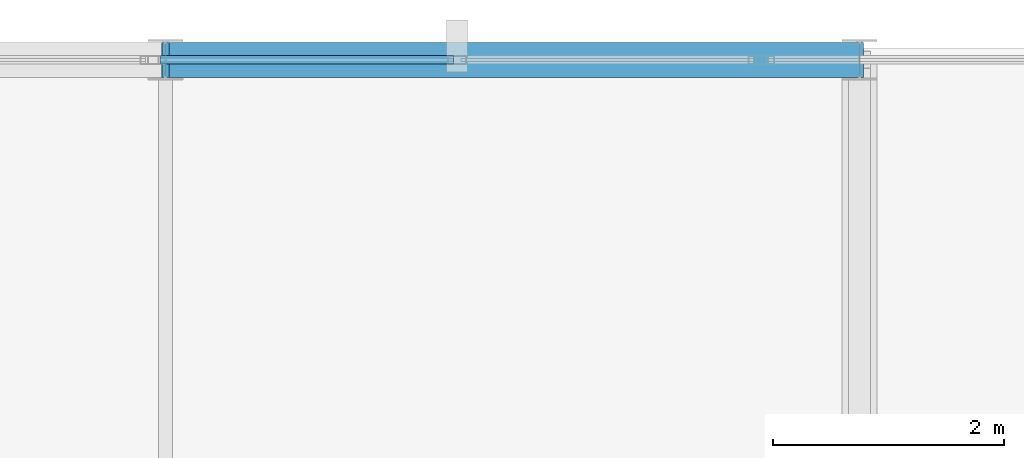
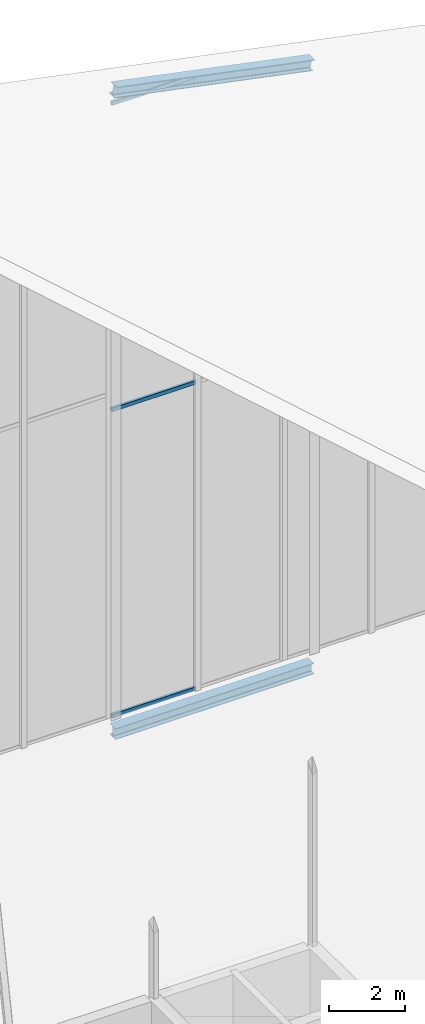
# One storey, part 54 of 74: 3 members, 2 beams, 1 element without a shape of its own.
"""IFC4 building model written with IfcOpenShell, lengths in metres."""

from ifc_helpers import new_model, si_unit, direction, frame, origin, origin_2d, place, context, subcontext, project, spatial, hollow_rectangle, i_section, extrude, material, layer, layer_set, material_profile, profile_set, type_object, element, aggregate, save


model = new_model("IFC4")

# Units and contexts
model_context = context("Model", 3, precision=1e-05, world=origin(), true_north=direction((0.0, 1.0)))
body_context = subcontext(model_context, "Body", "Model", "MODEL_VIEW")
ifc_project = project(units=[si_unit("LENGTHUNIT", "METRE"), si_unit("AREAUNIT", "SQUARE_METRE"), si_unit("VOLUMEUNIT", "CUBIC_METRE"), si_unit("PLANEANGLEUNIT", "RADIAN"), si_unit("MASSUNIT", "GRAM", prefix="KILO")], contexts=[model_context])

# Site, building, storey
site_placement = place(None, origin())
site = spatial("IfcSite", under=ifc_project, at=site_placement, CompositionType="ELEMENT")
building_placement = place(site_placement, origin())
building = spatial("IfcBuilding", under=site, at=building_placement, Name="Keshet Zoharim Tower", CompositionType="ELEMENT")
storey_placement = place(building_placement, frame((0.0, 0.0, 320.0)))
storey = spatial("IfcBuildingStorey", under=building, at=storey_placement, Name="RF", CompositionType="ELEMENT", Elevation=320.0)

# Beams
ifc_material_1 = material(Name="Steel S355", Category="steel")
ifc_material_profile_1 = material_profile(ifc_material_1, i_section(OverallWidth=0.300048828125, OverallDepth=0.35009765625, WebThickness=0.010009765625, FlangeThickness=0.017578125, FilletRadius=0.027099609375, at=origin_2d()), Name="HEA360")
ifc_profile_set_1 = profile_set([ifc_material_profile_1], Name="Steel S355")
beam_type_1 = type_object("IfcBeamType", Name="BM-PRI-HA360", PredefinedType="BEAM", material=ifc_profile_set_1)
beam_1_placement = place(storey_placement, frame((27.0, 53.89990234375, -0.485107421875), z_axis=(1.0, 0.0, 0.0), x_axis=(0.0, 1.0, 0.0)))
element("IfcBeam", 1, at=beam_1_placement, inside=storey, type_object=beam_type_1, Name="RF Primary Girder X-012", PredefinedType="BEAM", context=body_context, shape_type="SweptSolid", body=[
    extrude(i_section(OverallWidth=0.300048828125, OverallDepth=0.35009765625, WebThickness=0.010009765625, FlangeThickness=0.017578125, FilletRadius=0.027099609375, at=origin_2d()), origin(), (0.0, 0.0, 1.0), 6.0),
])
ifc_material_profile_2 = material_profile(ifc_material_1, i_section(OverallWidth=0.300048828125, OverallDepth=0.340087890625, WebThickness=0.011962890625, FlangeThickness=0.021484375, FilletRadius=0.027099609375, at=origin_2d()), Name="HEB340")
ifc_profile_set_2 = profile_set([ifc_material_profile_2], Name="Steel S355")
beam_type_2 = type_object("IfcBeamType", Name="BM-SPN-HB340", PredefinedType="SPANDREL", material=ifc_profile_set_2)
beam_2_placement = place(storey_placement, frame((27.0, 53.89990234375, 20.0224609375), z_axis=(0.979823661837, 0.0, -0.199863932975), x_axis=(0.0, 1.0, 0.0)))
element("IfcBeam", 2, at=beam_2_placement, inside=storey, type_object=beam_type_2, Name="Crown Sloped Perimeter Ring Beam 02", PredefinedType="SPANDREL", context=body_context, shape_type="SweptSolid", body=[
    extrude(i_section(OverallWidth=0.300048828125, OverallDepth=0.340087890625, WebThickness=0.011962890625, FlangeThickness=0.021484375, FilletRadius=0.027099609375, at=origin_2d()), origin(), (0.0, 0.0, 1.0), 6.12353515625),
])

# Curtain wall, members
ifc_material_2 = material(Name="Aluminium 6063-T6", Category="aluminium")
ifc_layer = layer(ifc_material_2, 0.260009765625)
ifc_layer_set = layer_set([ifc_layer], Name="Aluminium 6063-T6")
curtain_wall_type = type_object("IfcCurtainWallType", Name="CW-SYS-06", PredefinedType="NOTDEFINED", material=ifc_layer_set)
curtain_wall_placement = place(storey_placement, origin())
curtain_wall = element("IfcCurtainWall", 3, at=curtain_wall_placement, inside=storey, type_object=curtain_wall_type, Name="Slanted Crown Curtain Wall 13", PredefinedType="NOTDEFINED")
ifc_material_profile_3 = material_profile(ifc_material_2, hollow_rectangle(XDim=0.074951171875, YDim=0.1201171875, WallThickness=0.00390625, at=origin_2d()), Name="TRN-75x120")
ifc_profile_set_3 = profile_set([ifc_material_profile_3], Name="Aluminium 6063-T6")
member_type = type_object("IfcMemberType", Name="CWT-T12", PredefinedType="USERDEFINED", material=ifc_profile_set_3)
member_1_placement = place(storey_placement, frame((26.95703125, 53.89990234375, 0.032470703125), z_axis=(1.0, 0.0, 0.0), x_axis=(0.0, 1.0, 0.0)))
member_1 = element("IfcMember", 4, at=member_1_placement, type_object=member_type, Name="CW-06 transom 1.1", ObjectType="TRANSOM", PredefinedType="USERDEFINED", context=body_context, shape_type="SweptSolid", body=[
    extrude(hollow_rectangle(XDim=0.074951171875, YDim=0.1201171875, WallThickness=0.00390625, at=origin_2d()), origin(), (0.0, 0.0, 1.0), 2.531494140625),
])
member_2_placement = place(storey_placement, frame((26.95703125, 53.89990234375, 9.822998046875), z_axis=(1.0, 0.0, 0.0), x_axis=(0.0, 1.0, 0.0)))
member_2 = element("IfcMember", 5, at=member_2_placement, type_object=member_type, Name="CW-06 transom 1.2", ObjectType="TRANSOM", PredefinedType="USERDEFINED", context=body_context, shape_type="SweptSolid", body=[
    extrude(hollow_rectangle(XDim=0.074951171875, YDim=0.1201171875, WallThickness=0.00390625, at=origin_2d()), origin(), (0.0, 0.0, 1.0), 2.531494140625),
])
member_3_placement = place(storey_placement, frame((26.95703125, 53.89990234375, 19.613525390625), z_axis=(1.0, 0.0, 0.0), x_axis=(0.0, 1.0, 0.0)))
member_3 = element("IfcMember", 6, at=member_3_placement, type_object=member_type, Name="CW-06 transom 1.3", ObjectType="TRANSOM", PredefinedType="USERDEFINED", context=body_context, shape_type="SweptSolid", body=[
    extrude(hollow_rectangle(XDim=0.074951171875, YDim=0.1201171875, WallThickness=0.00390625, at=origin_2d()), origin(), (0.0, 0.0, 1.0), 2.531494140625),
])
aggregate(curtain_wall, [member_1, member_2, member_3])

save(model, "model.ifc")
